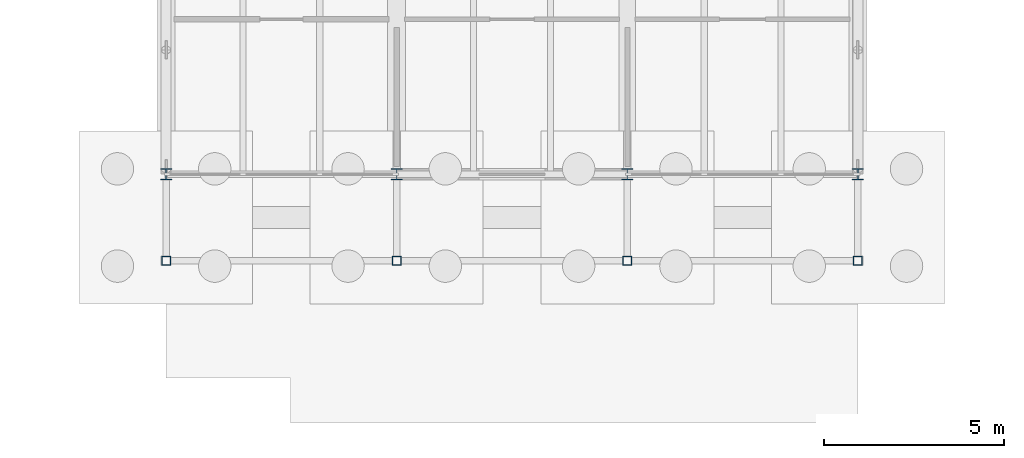
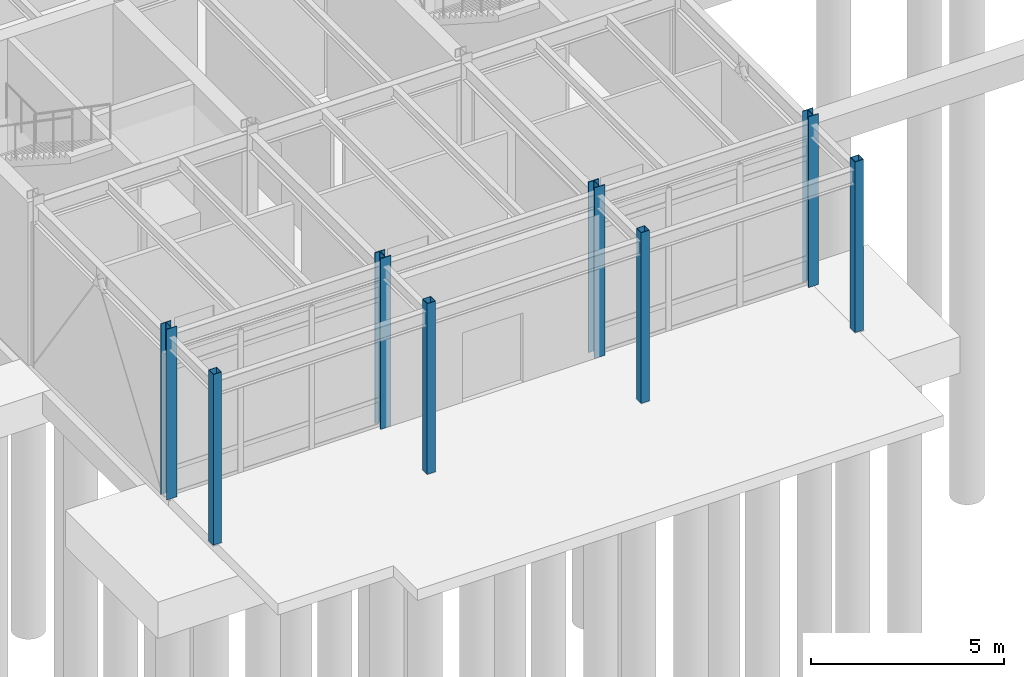
# One storey, part 18 of 82: 8 columns.
"""IFC4 building model written with IfcOpenShell, lengths in metres."""

from ifc_helpers import new_model, si_unit, direction, frame, origin, origin_2d, place, context, subcontext, project, spatial, hollow_rectangle, i_section, extrude, material, material_profile, profile_set, type_object, element, save


model = new_model("IFC4")

# Units and contexts
model_context = context("Model", 3, precision=1e-05, world=origin(), true_north=direction((0.0, 1.0)))
body_context = subcontext(model_context, "Body", "Model", "MODEL_VIEW")
ifc_project = project(units=[si_unit("LENGTHUNIT", "METRE"), si_unit("AREAUNIT", "SQUARE_METRE"), si_unit("VOLUMEUNIT", "CUBIC_METRE"), si_unit("PLANEANGLEUNIT", "RADIAN"), si_unit("MASSUNIT", "GRAM", prefix="KILO")], contexts=[model_context])

# Site, building, storey
site_placement = place(None, origin())
site = spatial("IfcSite", under=ifc_project, at=site_placement, CompositionType="ELEMENT")
building_placement = place(site_placement, origin())
building = spatial("IfcBuilding", under=site, at=building_placement, Name="Trelmorton Wharf Fire Station", CompositionType="ELEMENT")
storey_placement = place(building_placement, origin())
storey = spatial("IfcBuildingStorey", under=building, at=storey_placement, Name="L00", CompositionType="ELEMENT", Elevation=0.0)

# Columns
ifc_material_1 = material(Name="Steel Grade 350", Category="steel")
ifc_material_profile_1 = material_profile(ifc_material_1, i_section(OverallWidth=0.31103515625, OverallDepth=0.326904296875, WebThickness=0.015625, FlangeThickness=0.02490234375, FilletRadius=0.0166015625, at=origin_2d()), Name="310UC158")
ifc_profile_set_1 = profile_set([ifc_material_profile_1], Name="Steel Grade 350")
column_type_1 = type_object("IfcColumnType", Name="COL_310UC158", PredefinedType="COLUMN", material=ifc_profile_set_1)
for number, where, z_axis, x_axis, name in (
    (1, (77.199951171875, 60.300048828125, 0.0), (0.0, 0.0, 1.0), (1.0, 0.0, 0.0), "COL-L00-0121"),
    (2, (83.60009765625, 60.300048828125, 0.0), (0.0, 0.0, 1.0), (1.0, 0.0, 0.0), "COL-L00-0131"),
):
    element("IfcColumn", number, at=place(storey_placement, frame(where, z_axis=z_axis, x_axis=x_axis)), inside=storey, type_object=column_type_1, Name=name, PredefinedType="COLUMN", context=body_context, shape_type="SweptSolid", body=[
        extrude(i_section(OverallWidth=0.31103515625, OverallDepth=0.326904296875, WebThickness=0.015625, FlangeThickness=0.02490234375, FilletRadius=0.0166015625, at=origin_2d()), origin(), (0.0, 0.0, 1.0), 5.39990234375),
    ])
ifc_material_2 = material(Name="Signal-red architectural steel Grade 350", Category="steel")
ifc_material_profile_2 = material_profile(ifc_material_2, hollow_rectangle(XDim=0.25, YDim=0.25, WallThickness=0.012451171875, at=origin_2d()), Name="250x250x12.5SHS")
ifc_profile_set_2 = profile_set([ifc_material_profile_2], Name="Signal-red architectural steel Grade 350")
column_type_2 = type_object("IfcColumnType", Name="COL_RED_250SHS", PredefinedType="COLUMN", material=ifc_profile_set_2)
for number, where, z_axis, x_axis, name in (
    (3, (70.800048828125, 57.89990234375, 0.0), (0.0, 0.0, 1.0), (1.0, 0.0, 0.0), "COL-L00-0111"),
    (4, (77.199951171875, 57.89990234375, 0.0), (0.0, 0.0, 1.0), (1.0, 0.0, 0.0), "COL-L00-0120"),
    (5, (83.60009765625, 57.89990234375, 0.0), (0.0, 0.0, 1.0), (1.0, 0.0, 0.0), "COL-L00-0130"),
    (6, (90.0, 57.89990234375, 0.0), (0.0, 0.0, 1.0), (1.0, 0.0, 0.0), "COL-L00-0137"),
):
    element("IfcColumn", number, at=place(storey_placement, frame(where, z_axis=z_axis, x_axis=x_axis)), inside=storey, type_object=column_type_2, Name=name, PredefinedType="COLUMN", context=body_context, shape_type="SweptSolid", body=[
        extrude(hollow_rectangle(XDim=0.25, YDim=0.25, WallThickness=0.012451171875, at=origin_2d()), origin(), (0.0, 0.0, 1.0), 5.39990234375),
    ])
ifc_material_profile_3 = material_profile(ifc_material_2, i_section(OverallWidth=0.306884765625, OverallDepth=0.31494140625, WebThickness=0.011962890625, FlangeThickness=0.018798828125, FilletRadius=0.0166015625, at=origin_2d()), Name="310UC118")
ifc_profile_set_3 = profile_set([ifc_material_profile_3], Name="Signal-red architectural steel Grade 350")
column_type_3 = type_object("IfcColumnType", Name="COL_RED_310UC118", PredefinedType="COLUMN", material=ifc_profile_set_3)
for number, where, z_axis, x_axis, name in (
    (7, (70.800048828125, 60.300048828125, 0.0), (0.0, 0.0, 1.0), (1.0, 0.0, 0.0), "COL-L00-0112"),
    (8, (90.0, 60.300048828125, 0.0), (0.0, 0.0, 1.0), (1.0, 0.0, 0.0), "COL-L00-0138"),
):
    element("IfcColumn", number, at=place(storey_placement, frame(where, z_axis=z_axis, x_axis=x_axis)), inside=storey, type_object=column_type_3, Name=name, PredefinedType="COLUMN", context=body_context, shape_type="SweptSolid", body=[
        extrude(i_section(OverallWidth=0.306884765625, OverallDepth=0.31494140625, WebThickness=0.011962890625, FlangeThickness=0.018798828125, FilletRadius=0.0166015625, at=origin_2d()), origin(), (0.0, 0.0, 1.0), 5.39990234375),
    ])

save(model, "model.ifc")
